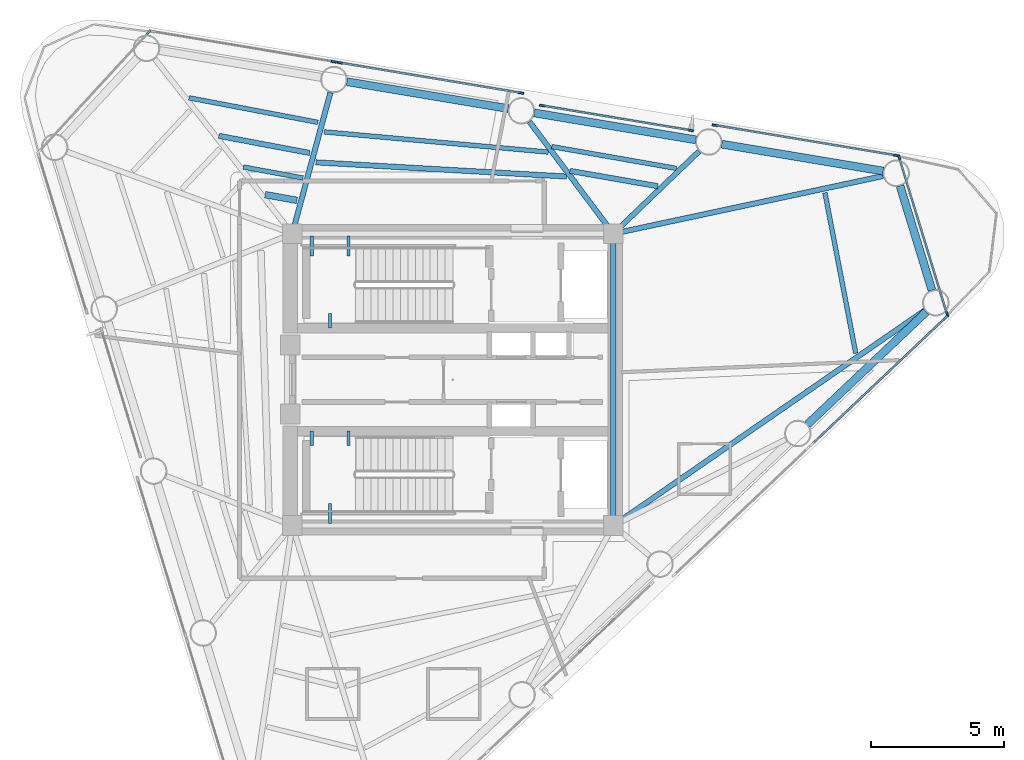
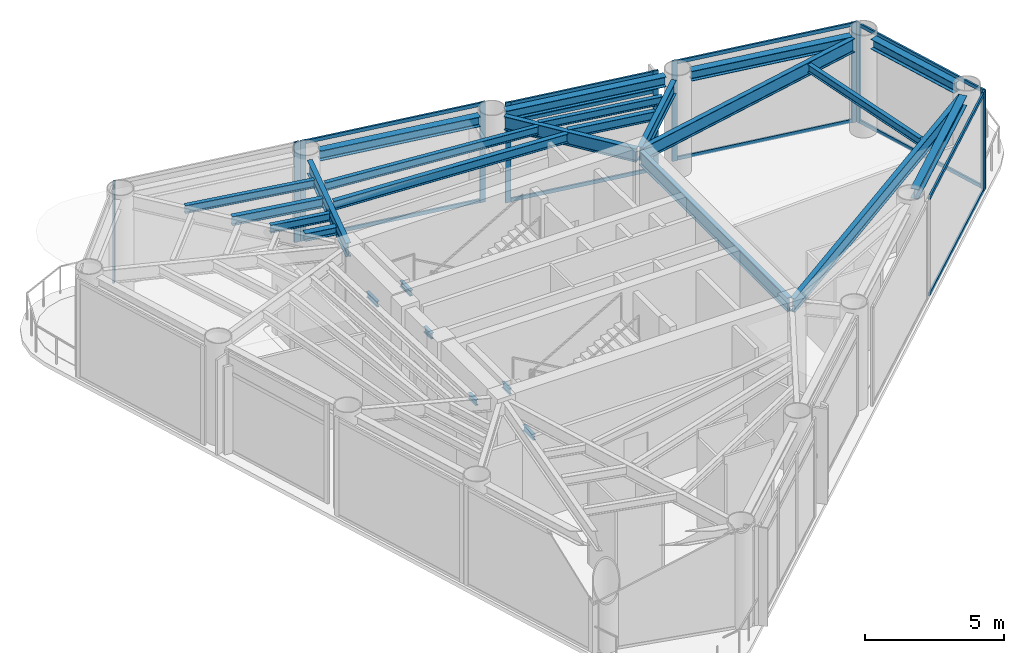
# One storey, part 4 of 11: 26 beams, 22 members, 7 elements without a shape of their own.
"""IFC4 building model written with IfcOpenShell, lengths in metres."""

from ifc_helpers import new_model, si_unit, direction, frame, origin, origin_2d, place, context, subcontext, project, spatial, rectangle, i_section, extrude, source, transform, mapped, material, layer, layer_set, material_profile, profile_set, type_object, element, aggregate, save


model = new_model("IFC4")

# Units and contexts
model_context = context("Model", 3, precision=1e-05, world=origin(), true_north=direction((0.0, 1.0)))
body_context = subcontext(model_context, "Body", "Model", "MODEL_VIEW")
ifc_project = project(units=[si_unit("LENGTHUNIT", "METRE"), si_unit("AREAUNIT", "SQUARE_METRE"), si_unit("VOLUMEUNIT", "CUBIC_METRE"), si_unit("PLANEANGLEUNIT", "RADIAN"), si_unit("MASSUNIT", "GRAM", prefix="KILO")], contexts=[model_context])

# Site, building, storey
site_placement = place(None, origin())
site = spatial("IfcSite", under=ifc_project, at=site_placement, CompositionType="ELEMENT")
building_placement = place(site_placement, origin())
building = spatial("IfcBuilding", under=site, at=building_placement, Name="Yunling Apex Tower", CompositionType="ELEMENT")
storey_placement = place(building_placement, frame((0.0, 0.0, 224.14990234375)))
storey = spatial("IfcBuildingStorey", under=building, at=storey_placement, Name="L54", CompositionType="ELEMENT", Elevation=224.14990234375)

# Beams
ifc_material_1 = material(Name="Steel Q355B", Category="steel")
ifc_material_profile_1 = material_profile(ifc_material_1, i_section(OverallWidth=0.125, OverallDepth=0.25, WebThickness=0.006103515625, FlangeThickness=0.009033203125, FilletRadius=0.011962890625, at=origin_2d()))
ifc_profile_set_1 = profile_set([ifc_material_profile_1], Name="Steel Q355B")
beam_type_1 = type_object("IfcBeamType", Name="BL-LNT-1", PredefinedType="LINTEL", material=ifc_profile_set_1)
shared_shape_1 = source(origin(), body_context, "Body", "SweptSolid", [
    extrude(i_section(OverallWidth=0.125, OverallDepth=0.25, WebThickness=0.006103515625, FlangeThickness=0.009033203125, FilletRadius=0.011962890625, at=origin_2d()), origin(), (0.0, 0.0, 1.0), 0.760009765625),
])
for number, where, z_axis, x_axis, name in (
    (1, (-5.320068359375, 5.419921875, 1.93017578125), (0.0, -1.0, 0.0), (1.0, 0.0, 0.0), "L54 ST-1 Landing Bearing Corbel 1-1"),
    (2, (-3.929931640625, 5.419921875, 1.93017578125), (0.0, -1.0, 0.0), (1.0, 0.0, 0.0), "L54 ST-1 Landing Bearing Corbel 1-2"),
    (3, (-4.625, -5.419921875, 1.93017578125), (0.0, 1.0, 0.0), (-1.0, 0.0, 0.0), "L54 ST-2 Landing Bearing Corbel 1-3"),
):
    element("IfcBeam", number, at=place(storey_placement, frame(where, z_axis=z_axis, x_axis=x_axis)), inside=storey, type_object=beam_type_1, Name=name, PredefinedType="LINTEL", context=body_context, shape_type="MappedRepresentation", body=[
        mapped(shared_shape_1, transform((0.0, 0.0, 0.0), scale=1.0)),
    ])
shared_shape_2 = source(origin(), body_context, "Body", "SweptSolid", [
    extrude(i_section(OverallWidth=0.125, OverallDepth=0.25, WebThickness=0.006103515625, FlangeThickness=0.009033203125, FilletRadius=0.011962890625, at=origin_2d()), origin(), (0.0, 0.0, 1.0), 0.550048828125),
])
for number, where, z_axis, x_axis, name in (
    (4, (-4.625, 1.93994140625, 1.93017578125), (0.0, 1.0, 0.0), (-1.0, 0.0, 0.0), "L54 ST-1 Landing Bearing Corbel 1-3"),
    (5, (-5.320068359375, -1.93994140625, 1.93017578125), (0.0, -1.0, 0.0), (1.0, 0.0, 0.0), "L54 ST-2 Landing Bearing Corbel 1-1"),
    (6, (-3.929931640625, -1.93994140625, 1.93017578125), (0.0, -1.0, 0.0), (1.0, 0.0, 0.0), "L54 ST-2 Landing Bearing Corbel 1-2"),
):
    element("IfcBeam", number, at=place(storey_placement, frame(where, z_axis=z_axis, x_axis=x_axis)), inside=storey, type_object=beam_type_1, Name=name, PredefinedType="LINTEL", context=body_context, shape_type="MappedRepresentation", body=[
        mapped(shared_shape_2, transform((0.0, 0.0, 0.0), scale=1.0)),
    ])
ifc_material_profile_2 = material_profile(ifc_material_1, i_section(OverallWidth=0.199951171875, OverallDepth=0.60009765625, WebThickness=0.010986328125, FlangeThickness=0.01708984375, FilletRadius=0.02197265625, at=origin_2d()))
ifc_profile_set_2 = profile_set([ifc_material_profile_2], Name="Steel Q355B")
beam_type_2 = type_object("IfcBeamType", Name="BG-PRI-5", PredefinedType="USERDEFINED", material=ifc_profile_set_2)
shared_shape_3 = source(origin(), body_context, "Body", "SweptSolid", [
    extrude(i_section(OverallWidth=0.199951171875, OverallDepth=0.60009765625, WebThickness=0.010986328125, FlangeThickness=0.01708984375, FilletRadius=0.02197265625, at=origin_2d()), origin(), (0.0, 0.0, 1.0), 10.7001953125),
])
beam_1_placement = place(storey_placement, frame((6.050048828125, -5.35009765625, 4.02001953125), z_axis=(0.0, 1.0, 0.0), x_axis=(-1.0, 0.0, 0.0)))
element("IfcBeam", 7, at=beam_1_placement, inside=storey, type_object=beam_type_2, Name="L54 Core Ring Tie Beam 2", ObjectType="GIRDER", PredefinedType="USERDEFINED", context=body_context, shape_type="MappedRepresentation", body=[
    mapped(shared_shape_3, transform((0.0, 0.0, 0.0), scale=1.0)),
])
ifc_material_profile_3 = material_profile(ifc_material_1, i_section(OverallWidth=0.175048828125, OverallDepth=0.35009765625, WebThickness=0.007080078125, FlangeThickness=0.010986328125, FilletRadius=0.013916015625, at=origin_2d()))
ifc_profile_set_3 = profile_set([ifc_material_profile_3], Name="Steel Q355B")
beam_type_3 = type_object("IfcBeamType", Name="BJ-JST-1", PredefinedType="JOIST", material=ifc_profile_set_3)
shared_shape_4 = source(origin(), body_context, "Body", "SweptSolid", [
    extrude(i_section(OverallWidth=0.175048828125, OverallDepth=0.35009765625, WebThickness=0.007080078125, FlangeThickness=0.010986328125, FilletRadius=0.013916015625, at=origin_2d()), origin(), (0.0, 0.0, 1.0), 4.765869140625),
])
beam_2_placement = place(storey_placement, frame((8.42578125, 7.96142578125, 4.14501953125), z_axis=(-0.985022420296, 0.17242630749, 0.0), x_axis=(-0.17242630749, -0.985022420296, 0.0)))
element("IfcBeam", 8, at=beam_2_placement, inside=storey, type_object=beam_type_3, Name="L54 Composite Floor Joist BJ1-7", PredefinedType="JOIST", context=body_context, shape_type="MappedRepresentation", body=[
    mapped(shared_shape_4, transform((0.0, 0.0, 0.0), scale=1.0)),
])
ifc_material_profile_4 = material_profile(ifc_material_1, i_section(OverallWidth=0.300048828125, OverallDepth=0.43994140625, WebThickness=0.010986328125, FlangeThickness=0.01806640625, FilletRadius=0.02197265625, at=origin_2d()))
ifc_profile_set_4 = profile_set([ifc_material_profile_4], Name="Steel Q355B")
beam_type_4 = type_object("IfcBeamType", Name="BP-SPN-3", PredefinedType="SPANDREL", material=ifc_profile_set_4)
shared_shape_5 = source(origin(), body_context, "Body", "SweptSolid", [
    extrude(i_section(OverallWidth=0.300048828125, OverallDepth=0.43994140625, WebThickness=0.010986328125, FlangeThickness=0.01806640625, FilletRadius=0.02197265625, at=origin_2d()), origin(), (0.0, 0.0, 1.0), 6.17333984375),
])
for number, where, z_axis, x_axis, name in (
    (9, (13.36572265625, -1.690185546875, 4.10009765625), (0.725853952128, 0.687848849807, 0.0), (-0.687848849807, 0.725853952128, 0.0), "L54 Perimeter Spandrel Beam 4"),
    (10, (16.224853515625, 7.860595703125, 4.10009765625), (-0.986400336233, 0.164360508275, 0.0), (-0.164360508275, -0.986400336233, 0.0), "L54 Perimeter Spandrel Beam 6"),
    (11, (9.160888671875, 9.03759765625, 4.10009765625), (-0.986400336233, 0.164360508275, 0.0), (-0.164360508275, -0.986400336233, 0.0), "L54 Perimeter Spandrel Beam 7"),
    (12, (2.096923828125, 10.214599609375, 4.10009765625), (-0.986393923832, 0.164398987305, 0.0), (-0.164398987305, -0.986393923832, 0.0), "L54 Perimeter Spandrel Beam 8"),
):
    element("IfcBeam", number, at=place(storey_placement, frame(where, z_axis=z_axis, x_axis=x_axis)), inside=storey, type_object=beam_type_4, Name=name, PredefinedType="SPANDREL", context=body_context, shape_type="MappedRepresentation", body=[
        mapped(shared_shape_5, transform((0.0, 0.0, 0.0), scale=1.0)),
    ])
shared_shape_6 = source(origin(), body_context, "Body", "SweptSolid", [
    extrude(i_section(OverallWidth=0.300048828125, OverallDepth=0.43994140625, WebThickness=0.010986328125, FlangeThickness=0.01806640625, FilletRadius=0.02197265625, at=origin_2d()), origin(), (0.0, 0.0, 1.0), 4.118408203125),
])
beam_3_placement = place(storey_placement, frame((18.060791015625, 3.368408203125, 4.10009765625), z_axis=(-0.292369137572, 0.956305540816, 0.0), x_axis=(-0.956305540816, -0.292369137572, 0.0)))
element("IfcBeam", 13, at=beam_3_placement, inside=storey, type_object=beam_type_4, Name="L54 Perimeter Spandrel Beam 5", PredefinedType="SPANDREL", context=body_context, shape_type="MappedRepresentation", body=[
    mapped(shared_shape_6, transform((0.0, 0.0, 0.0), scale=1.0)),
])
shared_shape_7 = source(origin(), body_context, "Body", "SweptSolid", [
    extrude(i_section(OverallWidth=0.199951171875, OverallDepth=0.60009765625, WebThickness=0.010986328125, FlangeThickness=0.01708984375, FilletRadius=0.02197265625, at=origin_2d()), origin(), (0.0, 0.0, 1.0), 14.18505859375),
])
beam_4_placement = place(storey_placement, frame((17.787353515625, 2.607177734375, 4.02001953125), z_axis=(-0.822805113414, -0.568323627294, 0.0), x_axis=(0.568323627294, -0.822805113414, 0.0)))
element("IfcBeam", 14, at=beam_4_placement, inside=storey, type_object=beam_type_2, Name="L54 Radial Primary Girder R05", ObjectType="GIRDER", PredefinedType="USERDEFINED", context=body_context, shape_type="MappedRepresentation", body=[
    mapped(shared_shape_7, transform((0.0, 0.0, 0.0), scale=1.0)),
])
shared_shape_8 = source(origin(), body_context, "Body", "SweptSolid", [
    extrude(i_section(OverallWidth=0.199951171875, OverallDepth=0.60009765625, WebThickness=0.010986328125, FlangeThickness=0.01708984375, FilletRadius=0.02197265625, at=origin_2d()), origin(), (0.0, 0.0, 1.0), 10.315185546875),
])
beam_5_placement = place(storey_placement, frame((16.21533203125, 7.673095703125, 4.02001953125), z_axis=(-0.977902402009, -0.209061933755, 0.0), x_axis=(0.209061933755, -0.977902402009, 0.0)))
element("IfcBeam", 15, at=beam_5_placement, inside=storey, type_object=beam_type_2, Name="L54 Radial Primary Girder R06", ObjectType="GIRDER", PredefinedType="USERDEFINED", context=body_context, shape_type="MappedRepresentation", body=[
    mapped(shared_shape_8, transform((0.0, 0.0, 0.0), scale=1.0)),
])
shared_shape_9 = source(origin(), body_context, "Body", "SweptSolid", [
    extrude(i_section(OverallWidth=0.199951171875, OverallDepth=0.60009765625, WebThickness=0.010986328125, FlangeThickness=0.01708984375, FilletRadius=0.02197265625, at=origin_2d()), origin(), (0.0, 0.0, 1.0), 4.4013671875),
])
beam_6_placement = place(storey_placement, frame((9.28173828125, 8.6044921875, 4.02001953125), z_axis=(-0.721164480273, -0.69276387925, 0.0), x_axis=(0.69276387925, -0.721164480273, 0.0)))
element("IfcBeam", 16, at=beam_6_placement, inside=storey, type_object=beam_type_2, Name="L54 Radial Primary Girder R07", ObjectType="GIRDER", PredefinedType="USERDEFINED", context=body_context, shape_type="MappedRepresentation", body=[
    mapped(shared_shape_9, transform((0.0, 0.0, 0.0), scale=1.0)),
])
shared_shape_10 = source(origin(), body_context, "Body", "SweptSolid", [
    extrude(i_section(OverallWidth=0.199951171875, OverallDepth=0.60009765625, WebThickness=0.010986328125, FlangeThickness=0.01708984375, FilletRadius=0.02197265625, at=origin_2d()), origin(), (0.0, 0.0, 1.0), 5.1982421875),
])
beam_7_placement = place(storey_placement, frame((2.888427734375, 9.726806640625, 4.02001953125), z_axis=(0.598992593476, -0.800754564746, 0.0), x_axis=(0.800754564746, 0.598992593476, 0.0)))
element("IfcBeam", 17, at=beam_7_placement, inside=storey, type_object=beam_type_2, Name="L54 Radial Primary Girder R08", ObjectType="GIRDER", PredefinedType="USERDEFINED", context=body_context, shape_type="MappedRepresentation", body=[
    mapped(shared_shape_10, transform((0.0, 0.0, 0.0), scale=1.0)),
])
shared_shape_11 = source(origin(), body_context, "Body", "SweptSolid", [
    extrude(i_section(OverallWidth=0.199951171875, OverallDepth=0.60009765625, WebThickness=0.010986328125, FlangeThickness=0.01708984375, FilletRadius=0.02197265625, at=origin_2d()), origin(), (0.0, 0.0, 1.0), 5.43115234375),
])
beam_8_placement = place(storey_placement, frame((-4.6123046875, 10.8203125, 4.02001953125), z_axis=(-0.26085354679, -0.965378385467, 0.0), x_axis=(0.965378385467, -0.26085354679, 0.0)))
element("IfcBeam", 18, at=beam_8_placement, inside=storey, type_object=beam_type_2, Name="L54 Radial Primary Girder R09", ObjectType="GIRDER", PredefinedType="USERDEFINED", context=body_context, shape_type="MappedRepresentation", body=[
    mapped(shared_shape_11, transform((0.0, 0.0, 0.0), scale=1.0)),
])
shared_shape_12 = source(origin(), body_context, "Body", "SweptSolid", [
    extrude(i_section(OverallWidth=0.175048828125, OverallDepth=0.35009765625, WebThickness=0.007080078125, FlangeThickness=0.010986328125, FilletRadius=0.013916015625, at=origin_2d()), origin(), (0.0, 0.0, 1.0), 6.16162109375),
])
beam_9_placement = place(storey_placement, frame((15.189453125, 0.99072265625, 4.14501953125), z_axis=(-0.188765094227, 0.982022270217, 0.0), x_axis=(-0.982022270217, -0.188765094227, 0.0)))
element("IfcBeam", 19, at=beam_9_placement, inside=storey, type_object=beam_type_3, Name="L54 Composite Floor Joist BJ1-5", PredefinedType="JOIST", context=body_context, shape_type="MappedRepresentation", body=[
    mapped(shared_shape_12, transform((0.0, 0.0, 0.0), scale=1.0)),
])
ifc_material_profile_5 = material_profile(ifc_material_1, i_section(OverallWidth=0.199951171875, OverallDepth=0.39990234375, WebThickness=0.008056640625, FlangeThickness=0.012939453125, FilletRadius=0.01611328125, at=origin_2d()))
ifc_profile_set_5 = profile_set([ifc_material_profile_5], Name="Steel Q355B")
beam_type_5 = type_object("IfcBeamType", Name="BS-SEC-4", PredefinedType="BEAM", material=ifc_profile_set_5)
shared_shape_13 = source(origin(), body_context, "Body", "SweptSolid", [
    extrude(i_section(OverallWidth=0.199951171875, OverallDepth=0.39990234375, WebThickness=0.008056640625, FlangeThickness=0.012939453125, FilletRadius=0.01611328125, at=origin_2d()), origin(), (0.0, 0.0, 1.0), 3.361572265625),
])
beam_10_placement = place(storey_placement, frame((7.7275390625, 7.290283203125, 4.1201171875), z_axis=(-0.985137567958, 0.171767203496, 0.0), x_axis=(-0.171767203496, -0.985137567958, 0.0)))
element("IfcBeam", 20, at=beam_10_placement, inside=storey, type_object=beam_type_5, Name="L54 Composite Floor Beam BS-7", PredefinedType="BEAM", context=body_context, shape_type="MappedRepresentation", body=[
    mapped(shared_shape_13, transform((0.0, 0.0, 0.0), scale=1.0)),
])
shared_shape_14 = source(origin(), body_context, "Body", "SweptSolid", [
    extrude(i_section(OverallWidth=0.199951171875, OverallDepth=0.39990234375, WebThickness=0.008056640625, FlangeThickness=0.012939453125, FilletRadius=0.01611328125, at=origin_2d()), origin(), (0.0, 0.0, 1.0), 9.461669921875),
])
beam_11_placement = place(storey_placement, frame((4.28564453125, 7.654541015625, 4.1201171875), z_axis=(-0.998399180074, 0.05656038567, 0.0), x_axis=(-0.05656038567, -0.998399180074, 0.0)))
element("IfcBeam", 21, at=beam_11_placement, inside=storey, type_object=beam_type_5, Name="L54 Composite Floor Beam BS-8", PredefinedType="BEAM", context=body_context, shape_type="MappedRepresentation", body=[
    mapped(shared_shape_14, transform((0.0, 0.0, 0.0), scale=1.0)),
])
shared_shape_15 = source(origin(), body_context, "Body", "SweptSolid", [
    extrude(i_section(OverallWidth=0.175048828125, OverallDepth=0.35009765625, WebThickness=0.007080078125, FlangeThickness=0.010986328125, FilletRadius=0.013916015625, at=origin_2d()), origin(), (0.0, 0.0, 1.0), 8.485107421875),
])
beam_12_placement = place(storey_placement, frame((3.60107421875, 8.575439453125, 4.14501953125), z_axis=(-0.995954531999, 0.089858612221, 0.0), x_axis=(-0.089858612221, -0.995954531999, 0.0)))
element("IfcBeam", 22, at=beam_12_placement, inside=storey, type_object=beam_type_3, Name="L54 Composite Floor Joist BJ1-8", PredefinedType="JOIST", context=body_context, shape_type="MappedRepresentation", body=[
    mapped(shared_shape_15, transform((0.0, 0.0, 0.0), scale=1.0)),
])
shared_shape_16 = source(origin(), body_context, "Body", "SweptSolid", [
    extrude(i_section(OverallWidth=0.199951171875, OverallDepth=0.39990234375, WebThickness=0.008056640625, FlangeThickness=0.012939453125, FilletRadius=0.01611328125, at=origin_2d()), origin(), (0.0, 0.0, 1.0), 3.482421875),
])
beam_13_placement = place(storey_placement, frame((-5.392822265625, 8.54296875, 4.1201171875), z_axis=(-0.98272425545, 0.185075762191, 0.0), x_axis=(-0.185075762191, -0.98272425545, 0.0)))
element("IfcBeam", 23, at=beam_13_placement, inside=storey, type_object=beam_type_5, Name="L54 Composite Floor Beam BS-9", PredefinedType="BEAM", context=body_context, shape_type="MappedRepresentation", body=[
    mapped(shared_shape_16, transform((0.0, 0.0, 0.0), scale=1.0)),
])
shared_shape_17 = source(origin(), body_context, "Body", "SweptSolid", [
    extrude(i_section(OverallWidth=0.175048828125, OverallDepth=0.35009765625, WebThickness=0.007080078125, FlangeThickness=0.010986328125, FilletRadius=0.013916015625, at=origin_2d()), origin(), (0.0, 0.0, 1.0), 4.949951171875),
])
beam_14_placement = place(storey_placement, frame((-5.081298828125, 9.69677734375, 4.14501953125), z_axis=(-0.982345041362, 0.187078111256, 0.0), x_axis=(-0.187078111256, -0.982345041362, 0.0)))
element("IfcBeam", 24, at=beam_14_placement, inside=storey, type_object=beam_type_3, Name="L54 Composite Floor Joist BJ1-9", PredefinedType="JOIST", context=body_context, shape_type="MappedRepresentation", body=[
    mapped(shared_shape_17, transform((0.0, 0.0, 0.0), scale=1.0)),
])
shared_shape_18 = source(origin(), body_context, "Body", "SweptSolid", [
    extrude(i_section(OverallWidth=0.175048828125, OverallDepth=0.35009765625, WebThickness=0.007080078125, FlangeThickness=0.010986328125, FilletRadius=0.013916015625, at=origin_2d()), origin(), (0.0, 0.0, 1.0), 2.28173828125),
])
beam_15_placement = place(storey_placement, frame((-5.64794921875, 7.5986328125, 4.14501953125), z_axis=(-0.983336596367, 0.181794219503, 0.0), x_axis=(-0.181794219503, -0.983336596367, 0.0)))
element("IfcBeam", 25, at=beam_15_placement, inside=storey, type_object=beam_type_3, Name="L54 Composite Floor Joist BJ3-9", PredefinedType="JOIST", context=body_context, shape_type="MappedRepresentation", body=[
    mapped(shared_shape_18, transform((0.0, 0.0, 0.0), scale=1.0)),
])
ifc_material_profile_6 = material_profile(ifc_material_1, i_section(OverallWidth=0.25, OverallDepth=0.340087890625, WebThickness=0.009033203125, FlangeThickness=0.013916015625, FilletRadius=0.01806640625, at=origin_2d()))
ifc_profile_set_6 = profile_set([ifc_material_profile_6], Name="Steel Q355B")
beam_type_6 = type_object("IfcBeamType", Name="BJ-JST-2", PredefinedType="JOIST", material=ifc_profile_set_6)
shared_shape_19 = source(origin(), body_context, "Body", "SweptSolid", [
    extrude(i_section(OverallWidth=0.25, OverallDepth=0.340087890625, WebThickness=0.009033203125, FlangeThickness=0.013916015625, FilletRadius=0.01806640625, at=origin_2d()), origin(), (0.0, 0.0, 1.0), 1.214111328125),
])
beam_16_placement = place(storey_placement, frame((-5.875, 6.758544921875, 4.150146484375), z_axis=(-0.98465170233, 0.174530871477, 0.0), x_axis=(-0.174530871477, -0.98465170233, 0.0)))
element("IfcBeam", 26, at=beam_16_placement, inside=storey, type_object=beam_type_6, Name="L54 Composite Floor Joist BJ2-9", PredefinedType="JOIST", context=body_context, shape_type="MappedRepresentation", body=[
    mapped(shared_shape_19, transform((0.0, 0.0, 0.0), scale=1.0)),
])

# Curtain wall, member
ifc_material_2 = material(Name="Bronze anodised aluminium", Category="aluminium")
ifc_layer = layer(ifc_material_2, 0.199951171875)
ifc_layer_set = layer_set([ifc_layer], Name="Bronze anodised aluminium")
curtain_wall_type = type_object("IfcCurtainWallType", Name="CW-SYS-5", PredefinedType="NOTDEFINED", material=ifc_layer_set)
curtain_wall_1_placement = place(storey_placement, origin())
curtain_wall_1 = element("IfcCurtainWall", 27, at=curtain_wall_1_placement, inside=storey, type_object=curtain_wall_type, Name="CW-L54-F1-B4", PredefinedType="NOTDEFINED")
ifc_material_profile_7 = material_profile(ifc_material_2, rectangle(XDim=0.074951171875, YDim=0.199951171875, at=origin_2d()))
ifc_profile_set_7 = profile_set([ifc_material_profile_7], Name="Bronze anodised aluminium")
member_type_1 = type_object("IfcMemberType", Name="CW-MUL-5", PredefinedType="MULLION", material=ifc_profile_set_7)
shared_shape_20 = source(origin(), body_context, "Body", "SweptSolid", [
    extrude(rectangle(XDim=0.074951171875, YDim=0.199951171875, at=origin_2d()), origin(), (0.0, 0.0, 1.0), 4.419921875),
])
member_1_placement = place(storey_placement, frame((18.573974609375, 2.3359375, -0.0498046875), z_axis=(0.0, 0.0, 1.0), x_axis=(-0.687848040467, 0.72585471909, 0.0)))
member_1 = element("IfcMember", 28, at=member_1_placement, type_object=member_type_1, Name="CW-SYS-5 mullion 2", PredefinedType="MULLION", context=body_context, shape_type="MappedRepresentation", body=[
    mapped(shared_shape_20, transform((0.0, 0.0, 0.0), scale=1.0)),
])

# Curtain wall, members
curtain_wall_2_placement = place(storey_placement, origin())
curtain_wall_2 = element("IfcCurtainWall", 29, at=curtain_wall_2_placement, inside=storey, type_object=curtain_wall_type, Name="CW-L54-CRN1", PredefinedType="NOTDEFINED")
member_2_placement = place(storey_placement, frame((18.634521484375, 2.467041015625, -0.0498046875), z_axis=(0.0, 0.0, 1.0), x_axis=(-0.956305498685, -0.292369275379, 0.0)))
member_2 = element("IfcMember", 30, at=member_2_placement, type_object=member_type_1, Name="CW-SYS-5 mullion 1", PredefinedType="MULLION", context=body_context, shape_type="MappedRepresentation", body=[
    mapped(shared_shape_20, transform((0.0, 0.0, 0.0), scale=1.0)),
])
member_3_placement = place(storey_placement, frame((16.828369140625, 8.375, -0.0498046875), z_axis=(0.0, 0.0, 1.0), x_axis=(-0.956305498685, -0.292369275379, 0.0)))
member_3 = element("IfcMember", 31, at=member_3_placement, type_object=member_type_1, Name="CW-SYS-5 mullion 2", PredefinedType="MULLION", context=body_context, shape_type="MappedRepresentation", body=[
    mapped(shared_shape_20, transform((0.0, 0.0, 0.0), scale=1.0)),
])

curtain_wall_3_placement = place(storey_placement, origin())
curtain_wall_3 = element("IfcCurtainWall", 32, at=curtain_wall_3_placement, inside=storey, type_object=curtain_wall_type, Name="CW-L54-F2-B1", PredefinedType="NOTDEFINED")
member_4_placement = place(storey_placement, frame((16.704833984375, 8.449951171875, -0.0498046875), z_axis=(0.0, 0.0, 1.0), x_axis=(-0.164352664392, -0.9864016432, 0.0)))
member_4 = element("IfcMember", 33, at=member_4_placement, type_object=member_type_1, Name="CW-SYS-5 mullion 1", PredefinedType="MULLION", context=body_context, shape_type="MappedRepresentation", body=[
    mapped(shared_shape_20, transform((0.0, 0.0, 0.0), scale=1.0)),
])
member_5_placement = place(storey_placement, frame((9.87255859375, 9.588134765625, -0.0498046875), z_axis=(0.0, 0.0, 1.0), x_axis=(-0.164352664392, -0.9864016432, 0.0)))
member_5 = element("IfcMember", 34, at=member_5_placement, type_object=member_type_1, Name="CW-SYS-5 mullion 2", PredefinedType="MULLION", context=body_context, shape_type="MappedRepresentation", body=[
    mapped(shared_shape_20, transform((0.0, 0.0, 0.0), scale=1.0)),
])

curtain_wall_4_placement = place(storey_placement, origin())
curtain_wall_4 = element("IfcCurtainWall", 35, at=curtain_wall_4_placement, inside=storey, type_object=curtain_wall_type, Name="CW-L54-F2-B2", PredefinedType="NOTDEFINED")
member_6_placement = place(storey_placement, frame((8.973388671875, 9.393310546875, -0.0498046875), z_axis=(0.0, 0.0, 1.0), x_axis=(-0.164370840747, -0.986398614513, 0.0)))
member_6 = element("IfcMember", 36, at=member_6_placement, type_object=member_type_1, Name="CW-SYS-5 mullion 1", PredefinedType="MULLION", context=body_context, shape_type="MappedRepresentation", body=[
    mapped(shared_shape_20, transform((0.0, 0.0, 0.0), scale=1.0)),
])
member_7_placement = place(storey_placement, frame((3.3642578125, 10.328125, -0.0498046875), z_axis=(0.0, 0.0, 1.0), x_axis=(-0.164370840747, -0.986398614513, 0.0)))
member_7 = element("IfcMember", 37, at=member_7_placement, type_object=member_type_1, Name="CW-SYS-5 mullion 2", PredefinedType="MULLION", context=body_context, shape_type="MappedRepresentation", body=[
    mapped(shared_shape_20, transform((0.0, 0.0, 0.0), scale=1.0)),
])

curtain_wall_5_placement = place(storey_placement, origin())
curtain_wall_5 = element("IfcCurtainWall", 38, at=curtain_wall_5_placement, inside=storey, type_object=curtain_wall_type, Name="CW-L54-F2-B3", PredefinedType="NOTDEFINED")
member_8_placement = place(storey_placement, frame((2.576904296875, 10.803955078125, -0.0498046875), z_axis=(0.0, 0.0, 1.0), x_axis=(-0.164352664392, -0.9864016432, 0.0)))
member_8 = element("IfcMember", 39, at=member_8_placement, type_object=member_type_1, Name="CW-SYS-5 mullion 1", PredefinedType="MULLION", context=body_context, shape_type="MappedRepresentation", body=[
    mapped(shared_shape_20, transform((0.0, 0.0, 0.0), scale=1.0)),
])
member_9_placement = place(storey_placement, frame((-4.25537109375, 11.9423828125, -0.0498046875), z_axis=(0.0, 0.0, 1.0), x_axis=(-0.164352664392, -0.9864016432, 0.0)))
member_9 = element("IfcMember", 40, at=member_9_placement, type_object=member_type_1, Name="CW-SYS-5 mullion 2", PredefinedType="MULLION", context=body_context, shape_type="MappedRepresentation", body=[
    mapped(shared_shape_20, transform((0.0, 0.0, 0.0), scale=1.0)),
])

# Curtain wall, member
curtain_wall_6_placement = place(storey_placement, origin())
curtain_wall_6 = element("IfcCurtainWall", 41, at=curtain_wall_6_placement, inside=storey, type_object=curtain_wall_type, Name="CW-L54-F2-B4", PredefinedType="NOTDEFINED")
member_10_placement = place(storey_placement, frame((-4.4873046875, 11.98095703125, -0.0498046875), z_axis=(0.0, 0.0, 1.0), x_axis=(-0.164352664392, -0.9864016432, 0.0)))
member_10 = element("IfcMember", 42, at=member_10_placement, type_object=member_type_1, Name="CW-SYS-5 mullion 1", PredefinedType="MULLION", context=body_context, shape_type="MappedRepresentation", body=[
    mapped(shared_shape_20, transform((0.0, 0.0, 0.0), scale=1.0)),
])
aggregate(curtain_wall_6, [member_10])

curtain_wall_7_placement = place(storey_placement, origin())
curtain_wall_7 = element("IfcCurtainWall", 43, at=curtain_wall_7_placement, inside=storey, type_object=curtain_wall_type, Name="CW-L54-CRN2", PredefinedType="NOTDEFINED")
member_11_placement = place(storey_placement, frame((-11.4638671875, 13.09130859375, -0.0498046875), z_axis=(0.0, 0.0, 1.0), x_axis=(0.736133922549, -0.676835909266, 0.0)))
member_11 = element("IfcMember", 44, at=member_11_placement, type_object=member_type_1, Name="CW-SYS-5 mullion 1", PredefinedType="MULLION", context=body_context, shape_type="MappedRepresentation", body=[
    mapped(shared_shape_20, transform((0.0, 0.0, 0.0), scale=1.0)),
])
aggregate(curtain_wall_7, [member_11])

# Member
ifc_material_profile_8 = material_profile(ifc_material_2, rectangle(XDim=0.074951171875, YDim=0.155029296875, at=origin_2d()))
ifc_profile_set_8 = profile_set([ifc_material_profile_8], Name="Bronze anodised aluminium")
member_type_2 = type_object("IfcMemberType", Name="CW-TRN-5", PredefinedType="USERDEFINED", material=ifc_profile_set_8)
shared_shape_21 = source(origin(), body_context, "Body", "SweptSolid", [
    extrude(rectangle(XDim=0.074951171875, YDim=0.155029296875, at=origin_2d()), origin(), (0.0, 0.0, 1.0), 5.618896484375),
])
member_12_placement = place(storey_placement, frame((8.93994140625, 9.39892578125, 0.03759765625), z_axis=(-0.986398620711, 0.164370803548, 0.0), x_axis=(-0.164370803548, -0.986398620711, 0.0)))
member_12 = element("IfcMember", 45, at=member_12_placement, type_object=member_type_2, Name="CW-SYS-5 transom 1.1", ObjectType="TRANSOM", PredefinedType="USERDEFINED", context=body_context, shape_type="MappedRepresentation", body=[
    mapped(shared_shape_21, transform((0.0, 0.0, 0.0), scale=1.0)),
])

member_13_placement = place(storey_placement, frame((8.93994140625, 9.39892578125, 3.47021484375), z_axis=(-0.986398620711, 0.164370803548, 0.0), x_axis=(-0.164370803548, -0.986398620711, 0.0)))
member_13 = element("IfcMember", 46, at=member_13_placement, type_object=member_type_2, Name="CW-SYS-5 transom 1.2", ObjectType="TRANSOM", PredefinedType="USERDEFINED", context=body_context, shape_type="MappedRepresentation", body=[
    mapped(shared_shape_21, transform((0.0, 0.0, 0.0), scale=1.0)),
])

member_14_placement = place(storey_placement, frame((8.93994140625, 9.39892578125, 4.28271484375), z_axis=(-0.986398620711, 0.164370803548, 0.0), x_axis=(-0.164370803548, -0.986398620711, 0.0)))
member_14 = element("IfcMember", 47, at=member_14_placement, type_object=member_type_2, Name="CW-SYS-5 transom 1.3", ObjectType="TRANSOM", PredefinedType="USERDEFINED", context=body_context, shape_type="MappedRepresentation", body=[
    mapped(shared_shape_21, transform((0.0, 0.0, 0.0), scale=1.0)),
])

aggregate(curtain_wall_4, [member_6, member_7, member_12, member_13, member_14])

shared_shape_22 = source(origin(), body_context, "Body", "SweptSolid", [
    extrude(rectangle(XDim=0.074951171875, YDim=0.155029296875, at=origin_2d()), origin(), (0.0, 0.0, 1.0), 6.85888671875),
])
member_15_placement = place(storey_placement, frame((13.57080078125, -2.405029296875, 0.03759765625), z_axis=(0.725875982618, 0.687825601339, 0.0), x_axis=(-0.687825601339, 0.725875982618, 0.0)))
member_15 = element("IfcMember", 48, at=member_15_placement, type_object=member_type_2, Name="CW-SYS-5 transom 1.1", ObjectType="TRANSOM", PredefinedType="USERDEFINED", context=body_context, shape_type="MappedRepresentation", body=[
    mapped(shared_shape_22, transform((0.0, 0.0, 0.0), scale=1.0)),
])

member_16_placement = place(storey_placement, frame((13.57080078125, -2.405029296875, 4.28271484375), z_axis=(0.725875982618, 0.687825601339, 0.0), x_axis=(-0.687825601339, 0.725875982618, 0.0)))
member_16 = element("IfcMember", 49, at=member_16_placement, type_object=member_type_2, Name="CW-SYS-5 transom 1.2", ObjectType="TRANSOM", PredefinedType="USERDEFINED", context=body_context, shape_type="MappedRepresentation", body=[
    mapped(shared_shape_22, transform((0.0, 0.0, 0.0), scale=1.0)),
])

aggregate(curtain_wall_1, [member_1, member_15, member_16])

member_17_placement = place(storey_placement, frame((2.54345703125, 10.8095703125, 0.03759765625), z_axis=(-0.986403542364, 0.164341265701, 0.0), x_axis=(-0.164341265701, -0.986403542364, 0.0)))
member_17 = element("IfcMember", 50, at=member_17_placement, type_object=member_type_2, Name="CW-SYS-5 transom 1.1", ObjectType="TRANSOM", PredefinedType="USERDEFINED", context=body_context, shape_type="MappedRepresentation", body=[
    mapped(shared_shape_22, transform((0.0, 0.0, 0.0), scale=1.0)),
])

member_18_placement = place(storey_placement, frame((2.54345703125, 10.8095703125, 4.28271484375), z_axis=(-0.986403542364, 0.164341265701, 0.0), x_axis=(-0.164341265701, -0.986403542364, 0.0)))
member_18 = element("IfcMember", 51, at=member_18_placement, type_object=member_type_2, Name="CW-SYS-5 transom 1.2", ObjectType="TRANSOM", PredefinedType="USERDEFINED", context=body_context, shape_type="MappedRepresentation", body=[
    mapped(shared_shape_22, transform((0.0, 0.0, 0.0), scale=1.0)),
])

aggregate(curtain_wall_5, [member_8, member_9, member_17, member_18])

shared_shape_23 = source(origin(), body_context, "Body", "SweptSolid", [
    extrude(rectangle(XDim=0.074951171875, YDim=0.155029296875, at=origin_2d()), origin(), (0.0, 0.0, 1.0), 6.1103515625),
])
member_19_placement = place(storey_placement, frame((18.624755859375, 2.49951171875, 0.03759765625), z_axis=(-0.292395158664, 0.956297585059, 0.0), x_axis=(-0.956297585059, -0.292395158664, 0.0)))
member_19 = element("IfcMember", 52, at=member_19_placement, type_object=member_type_2, Name="CW-SYS-5 transom 1.1", ObjectType="TRANSOM", PredefinedType="USERDEFINED", context=body_context, shape_type="MappedRepresentation", body=[
    mapped(shared_shape_23, transform((0.0, 0.0, 0.0), scale=1.0)),
])

member_20_placement = place(storey_placement, frame((18.624755859375, 2.49951171875, 4.28271484375), z_axis=(-0.292395158664, 0.956297585059, 0.0), x_axis=(-0.956297585059, -0.292395158664, 0.0)))
member_20 = element("IfcMember", 53, at=member_20_placement, type_object=member_type_2, Name="CW-SYS-5 transom 1.2", ObjectType="TRANSOM", PredefinedType="USERDEFINED", context=body_context, shape_type="MappedRepresentation", body=[
    mapped(shared_shape_23, transform((0.0, 0.0, 0.0), scale=1.0)),
])

aggregate(curtain_wall_2, [member_2, member_3, member_19, member_20])

shared_shape_24 = source(origin(), body_context, "Body", "SweptSolid", [
    extrude(rectangle(XDim=0.074951171875, YDim=0.155029296875, at=origin_2d()), origin(), (0.0, 0.0, 1.0), 6.859130859375),
])
member_21_placement = place(storey_placement, frame((16.671630859375, 8.455322265625, 0.03759765625), z_axis=(-0.986398733323, 0.164370127755, 0.0), x_axis=(-0.164370127755, -0.986398733323, 0.0)))
member_21 = element("IfcMember", 54, at=member_21_placement, type_object=member_type_2, Name="CW-SYS-5 transom 1.1", ObjectType="TRANSOM", PredefinedType="USERDEFINED", context=body_context, shape_type="MappedRepresentation", body=[
    mapped(shared_shape_24, transform((0.0, 0.0, 0.0), scale=1.0)),
])

member_22_placement = place(storey_placement, frame((16.671630859375, 8.455322265625, 4.28271484375), z_axis=(-0.986398733323, 0.164370127755, 0.0), x_axis=(-0.164370127755, -0.986398733323, 0.0)))
member_22 = element("IfcMember", 55, at=member_22_placement, type_object=member_type_2, Name="CW-SYS-5 transom 1.2", ObjectType="TRANSOM", PredefinedType="USERDEFINED", context=body_context, shape_type="MappedRepresentation", body=[
    mapped(shared_shape_24, transform((0.0, 0.0, 0.0), scale=1.0)),
])

aggregate(curtain_wall_3, [member_4, member_5, member_21, member_22])

save(model, "model.ifc")
